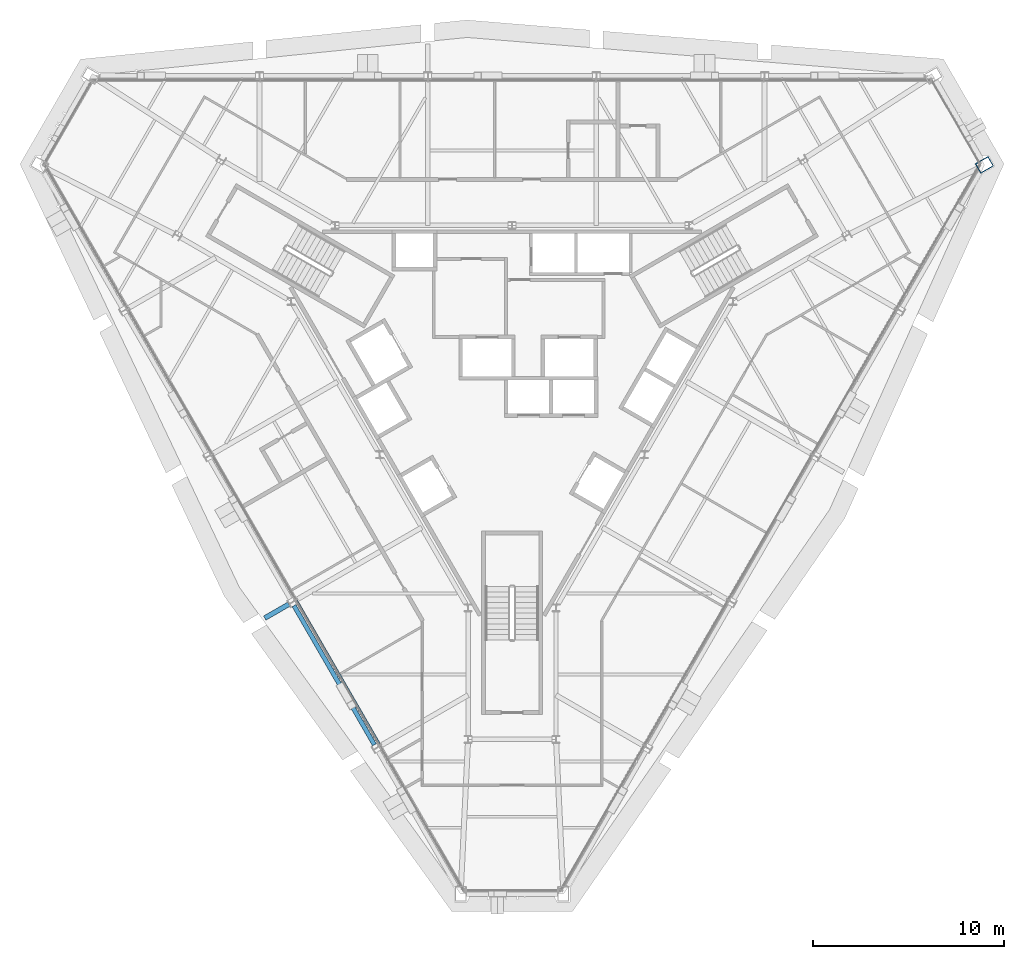
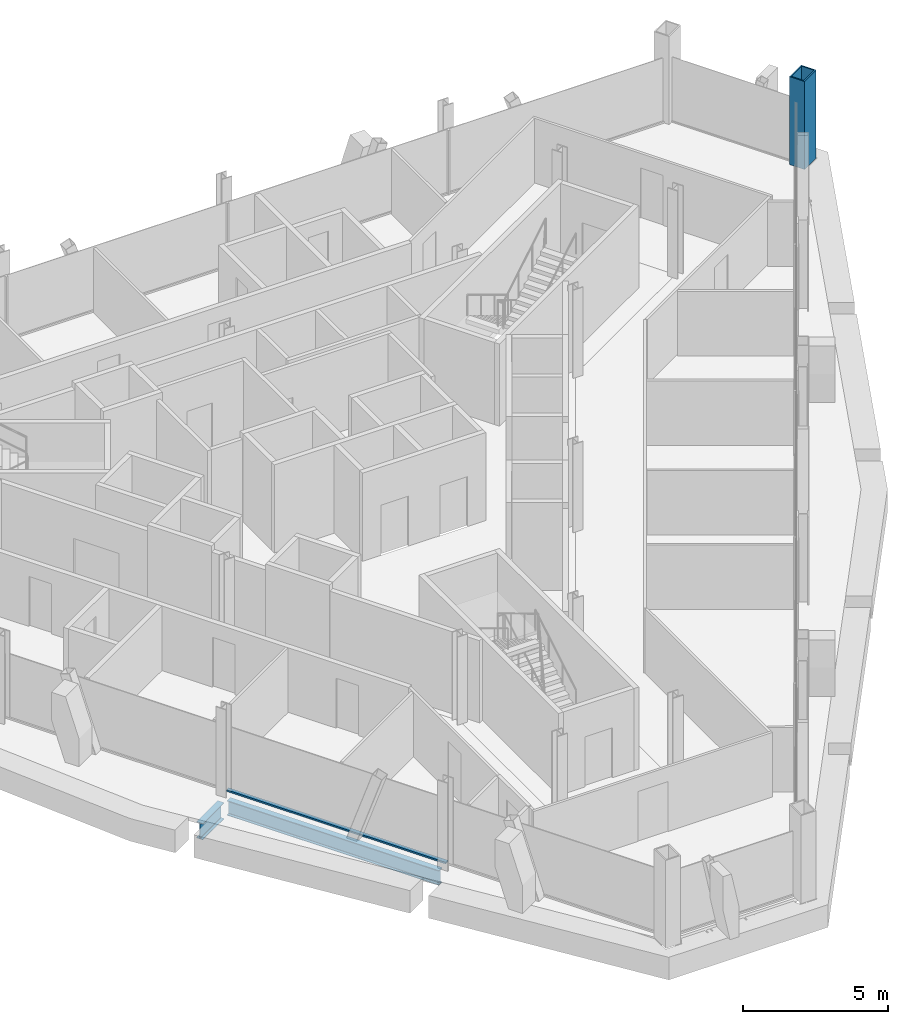
# One storey, part 2 of 14: 2 beams, 1 column, 1 member, 1 element without a shape of its own.
"""IFC4 building model written with IfcOpenShell, lengths in metres."""

from ifc_helpers import new_model, si_unit, direction, frame, origin, origin_2d, place, context, subcontext, project, spatial, rectangle, hollow_rectangle, i_section, extrude, material, material_profile, profile_set, type_object, element, aggregate, save


model = new_model("IFC4")

# Units and contexts
model_context = context("Model", 3, precision=1e-05, world=origin(), true_north=direction((0.0, 1.0)))
body_context = subcontext(model_context, "Body", "Model", "MODEL_VIEW")
ifc_project = project(units=[si_unit("LENGTHUNIT", "METRE"), si_unit("AREAUNIT", "SQUARE_METRE"), si_unit("VOLUMEUNIT", "CUBIC_METRE"), si_unit("PLANEANGLEUNIT", "RADIAN"), si_unit("MASSUNIT", "GRAM", prefix="KILO")], contexts=[model_context])

# Site, building, storey
site_placement = place(None, origin())
site = spatial("IfcSite", under=ifc_project, at=site_placement, CompositionType="ELEMENT")
building_placement = place(site_placement, origin())
building = spatial("IfcBuilding", under=site, at=building_placement, Name="Verrane Prism Tower", CompositionType="ELEMENT")
storey_placement = place(building_placement, frame((0.0, 0.0, 221.199951171875)))
storey = spatial("IfcBuildingStorey", under=building, at=storey_placement, Name="L55", CompositionType="ELEMENT", Elevation=221.199951171875)

# Column
ifc_material_1 = material(Name="Steel A572 Grade 50", Category="steel")
ifc_material_profile_1 = material_profile(ifc_material_1, hollow_rectangle(XDim=0.60009765625, YDim=0.800048828125, WallThickness=0.050048828125, at=origin_2d()), Name="BOX 800x600x50")
ifc_profile_set_1 = profile_set([ifc_material_profile_1], Name="Steel A572 Grade 50")
column_type = type_object("IfcColumnType", Name="Megacolumn BOX 800x600x50", PredefinedType="COLUMN", material=ifc_profile_set_1)
column_placement = place(storey_placement, frame((24.719970703125, 11.159912109375, 0.0), z_axis=(0.0, 0.0, 1.0), x_axis=(0.5, -0.866025403784, 0.0)))
element("IfcColumn", 1, at=column_placement, inside=storey, type_object=column_type, Name="Megacolumn MC-NE.a L55", PredefinedType="COLUMN", context=body_context, shape_type="SweptSolid", body=[
    extrude(hollow_rectangle(XDim=0.60009765625, YDim=0.800048828125, WallThickness=0.050048828125, at=origin_2d()), origin(), (0.0, 0.0, 1.0), 3.699951171875),
])

# Beams
ifc_material_2 = material(Name="Steel A992", Category="steel")
ifc_material_profile_2 = material_profile(ifc_material_2, i_section(OverallWidth=0.25390625, OverallDepth=0.683349609375, WebThickness=0.012451171875, FlangeThickness=0.01904296875, FilletRadius=0.01513671875, at=origin_2d()), Name="W27x94")
ifc_profile_set_2 = profile_set([ifc_material_profile_2], Name="Steel A992")
beam_type_1 = type_object("IfcBeamType", Name="Radial girder W27x94", PredefinedType="BEAM", material=ifc_profile_set_2)
beam_1_placement = place(storey_placement, frame((-11.67919921875, -11.82763671875, -0.5615234375), z_axis=(-0.865987565159, -0.500065532695, 0.0), x_axis=(0.500065532695, -0.865987565159, 0.0)))
element("IfcBeam", 2, at=beam_1_placement, inside=storey, type_object=beam_type_1, Name="Cantilever girder L55", PredefinedType="BEAM", context=body_context, shape_type="SweptSolid", body=[
    extrude(i_section(OverallWidth=0.25390625, OverallDepth=0.683349609375, WebThickness=0.012451171875, FlangeThickness=0.01904296875, FilletRadius=0.01513671875, at=origin_2d()), origin(), (0.0, 0.0, 1.0), 1.457763671875),
])
ifc_material_3 = material(Name="Steel A992", Category="steel")
ifc_material_profile_3 = material_profile(ifc_material_3, i_section(OverallWidth=0.23046875, OverallDepth=0.6171875, WebThickness=0.01318359375, FlangeThickness=0.022216796875, FilletRadius=0.012939453125, at=origin_2d()), Name="W24x94")
ifc_profile_set_3 = profile_set([ifc_material_profile_3], Name="Steel A992")
beam_type_2 = type_object("IfcBeamType", Name="Spandrel beam W24x94", PredefinedType="SPANDREL", material=ifc_profile_set_3)
beam_2_placement = place(storey_placement, frame((-11.40966796875, -11.90380859375, -0.468505859375), z_axis=(0.500418309917, -0.865783757701, 0.0), x_axis=(0.865783757701, 0.500418309917, 0.0)))
element("IfcBeam", 3, at=beam_2_placement, inside=storey, type_object=beam_type_2, Name="Spandrel beam L55", PredefinedType="SPANDREL", context=body_context, shape_type="SweptSolid", body=[
    extrude(i_section(OverallWidth=0.23046875, OverallDepth=0.6171875, WebThickness=0.01318359375, FlangeThickness=0.022216796875, FilletRadius=0.012939453125, at=origin_2d()), origin(), (0.0, 0.0, 1.0), 8.411376953125),
])

# Curtain wall, member
ifc_material_4 = material(Name="Aluminium framed insulated glazing", Category="aluminium")
curtain_wall_type = type_object("IfcCurtainWallType", Name="Curtain wall CW-A 8400 module", PredefinedType="NOTDEFINED", material=ifc_material_4)
curtain_wall_placement = place(storey_placement, origin())
curtain_wall = element("IfcCurtainWall", 4, at=curtain_wall_placement, inside=storey, type_object=curtain_wall_type, Name="Glazed curtain wall south-west face L55", PredefinedType="NOTDEFINED")
ifc_material_5 = material(Name="Aluminium alloy 6063-T6", Category="aluminium")
ifc_material_profile_4 = material_profile(ifc_material_5, rectangle(XDim=0.14990234375, YDim=0.070068359375, at=origin_2d()), Name="Transom 70x150 aluminium")
ifc_profile_set_4 = profile_set([ifc_material_profile_4], Name="Aluminium alloy 6063-T6")
member_type = type_object("IfcMemberType", Name="Transom 70x150 aluminium", PredefinedType="USERDEFINED", material=ifc_profile_set_4)
member_placement = place(storey_placement, frame((-11.298583984375, -11.634033203125, 0.03515625), z_axis=(0.50001192258, -0.86601852017, 0.0), x_axis=(0.86601852017, 0.50001192258, 0.0)))
member = element("IfcMember", 5, at=member_placement, type_object=member_type, Name="CW54.4 transom 4", ObjectType="TRANSOM", PredefinedType="USERDEFINED", context=body_context, shape_type="SweptSolid", body=[
    extrude(rectangle(XDim=0.14990234375, YDim=0.070068359375, at=origin_2d()), origin(), (0.0, 0.0, 1.0), 8.712158203125),
])
aggregate(curtain_wall, [member])

save(model, "model.ifc")
